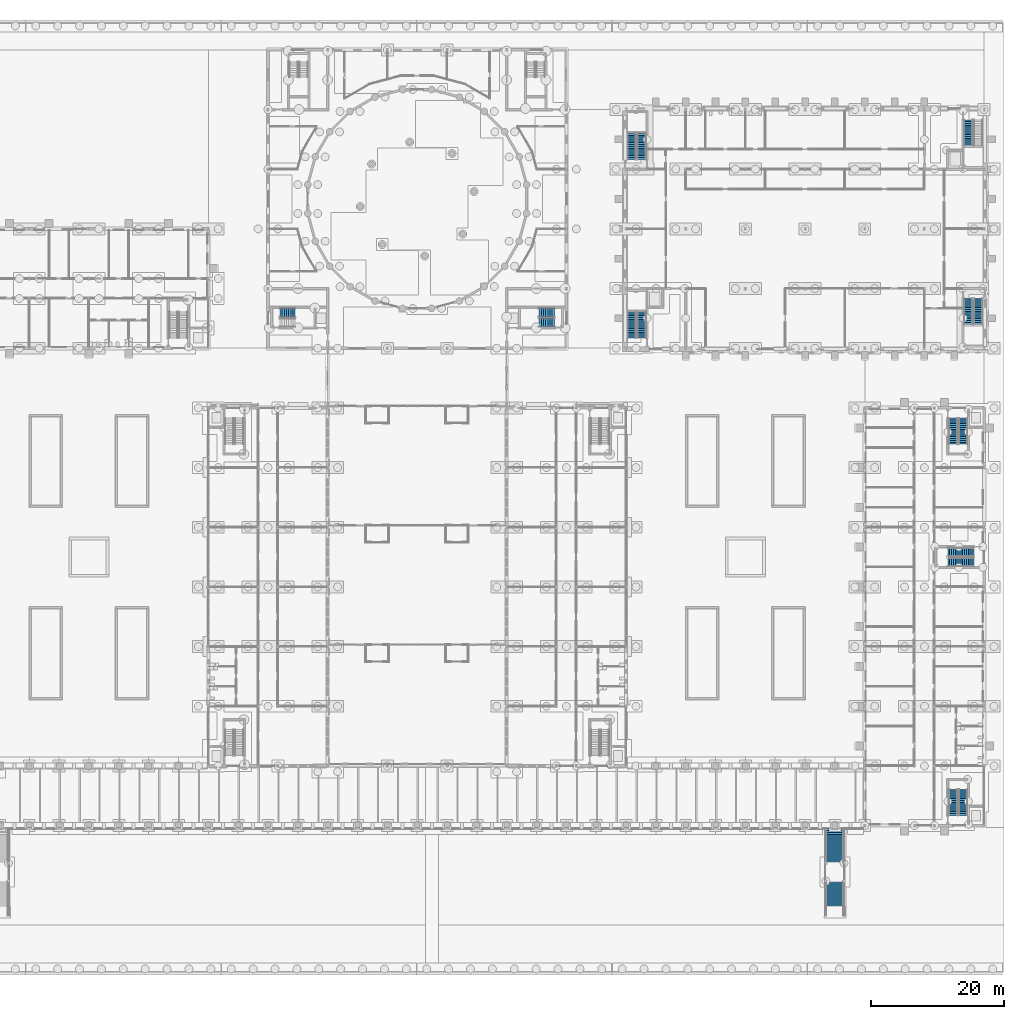
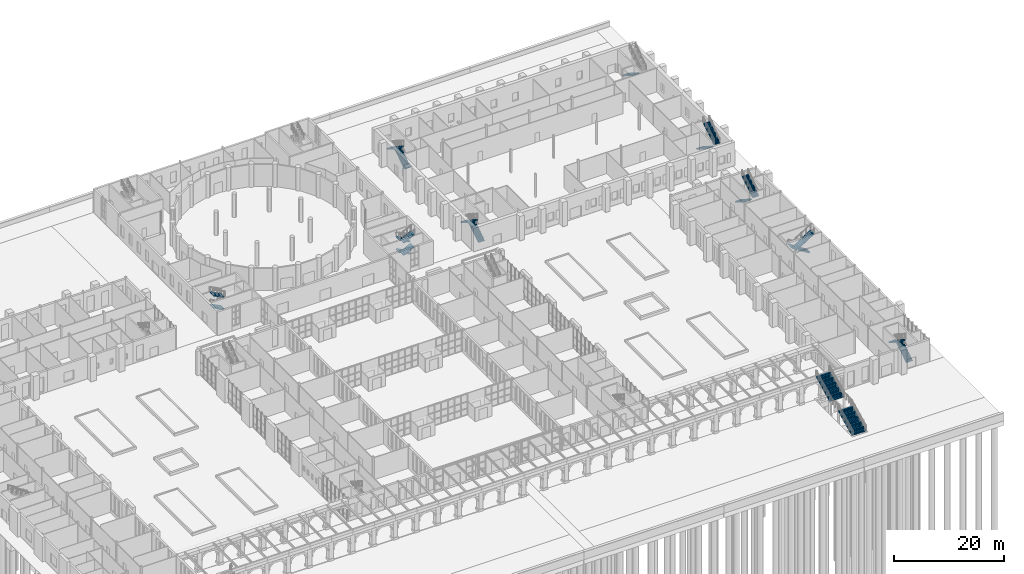
# One storey, part 112 of 168: 21 stair flights, 10 elements without a shape of their own.
"""IFC4 building model written with IfcOpenShell, lengths in metres."""

from ifc_helpers import new_model, si_unit, direction, frame, origin, place, context, subcontext, project, spatial, polyline, outline, extrude, material, type_object, element, aggregate, save


model = new_model("IFC4")

# Units and contexts
model_context = context("Model", 3, precision=1e-05, world=origin(), true_north=direction((0.0, 1.0)))
body_context = subcontext(model_context, "Body", "Model", "MODEL_VIEW")
ifc_project = project(units=[si_unit("LENGTHUNIT", "METRE"), si_unit("AREAUNIT", "SQUARE_METRE"), si_unit("VOLUMEUNIT", "CUBIC_METRE"), si_unit("PLANEANGLEUNIT", "RADIAN"), si_unit("MASSUNIT", "GRAM", prefix="KILO")], contexts=[model_context])

# Site, building, storey
site_placement = place(None, origin())
site = spatial("IfcSite", under=ifc_project, at=site_placement, CompositionType="ELEMENT")
building_placement = place(site_placement, origin())
building = spatial("IfcBuilding", under=site, at=building_placement, Name="Golden Quay Civic Hall", CompositionType="ELEMENT")
storey_placement = place(building_placement, origin())
storey = spatial("IfcBuildingStorey", under=building, at=storey_placement, Name="L00", CompositionType="ELEMENT", Elevation=0.0)

# Stair, stair flights
ifc_material_1 = material(Name="Concrete C40/50", Category="concrete")
stair_type_1 = type_object("IfcStairType", Name="Concrete half-turn stair 30 risers", PredefinedType="HALF_TURN_STAIR", material=ifc_material_1)
stair_1_placement = place(storey_placement, origin())
stair_1 = element("IfcStair", 1, at=stair_1_placement, inside=storey, type_object=stair_type_1, Name="L00 Protected Exit Stair LB-W", PredefinedType="HALF_TURN_STAIR")
ifc_material_2 = material(Name="Concrete C40/50", Category="concrete")
stair_flight_type_1 = type_object("IfcStairFlightType", Name="Concrete stair flight 1350", PredefinedType="STRAIGHT", material=ifc_material_2)
stair_flight_1_placement = place(storey_placement, frame((119.375, 64.550048828125, 0.0), z_axis=(0.0, 0.0, 1.0), x_axis=(0.0, 1.0, 0.0)))
stair_flight_1 = element("IfcStairFlight", 2, at=stair_flight_1_placement, type_object=stair_flight_type_1, Name="LB-STW flight 1", NumberOfRisers=15, NumberOfTreads=14, PredefinedType="STRAIGHT", RiserHeight=0.18, TreadLength=0.28, context=body_context, shape_type="SweptSolid", body=[
    extrude(outline(polyline([(0.0, 0.0), (0.0, 0.179931640625), (0.280029296875, 0.179931640625), (0.280029296875, 0.360107421875), (0.56005859375, 0.360107421875), (0.56005859375, 0.5400390625), (0.840087890625, 0.5400390625), (0.840087890625, 0.719970703125), (1.1201171875, 0.719970703125), (1.1201171875, 0.89990234375), (1.39990234375, 0.89990234375), (1.39990234375, 1.080078125), (1.679931640625, 1.080078125), (1.679931640625, 1.260009765625), (1.9599609375, 1.260009765625), (1.9599609375, 1.43994140625), (2.239990234375, 1.43994140625), (2.239990234375, 1.6201171875), (2.52001953125, 1.6201171875), (2.52001953125, 1.800048828125), (2.800048828125, 1.800048828125), (2.800048828125, 1.97998046875), (3.080078125, 1.97998046875), (3.080078125, 2.159912109375), (3.360107421875, 2.159912109375), (3.360107421875, 2.340087890625), (3.639892578125, 2.340087890625), (3.639892578125, 2.52001953125), (3.919921875, 2.52001953125), (3.919921875, 2.699951171875), (3.919921875, 2.341796875), (0.277099609375, 0.0), (0.0, 0.0)])), frame((0.0, 0.675048828125, 0.0), z_axis=(0.0, -1.0, 0.0), x_axis=(1.0, 0.0, 0.0)), (0.0, 0.0, 1.0), 1.35),
])
stair_flight_2_placement = place(storey_placement, frame((117.875, 68.469970703125, 2.699951171875), z_axis=(0.0, 0.0, 1.0), x_axis=(0.0, -1.0, 0.0)))
stair_flight_2 = element("IfcStairFlight", 3, at=stair_flight_2_placement, type_object=stair_flight_type_1, Name="LB-STW flight 2", NumberOfRisers=15, NumberOfTreads=14, PredefinedType="STRAIGHT", RiserHeight=0.18, TreadLength=0.28, context=body_context, shape_type="SweptSolid", body=[
    extrude(outline(polyline([(0.0, 0.0), (0.0, 0.179931640625), (0.280029296875, 0.179931640625), (0.280029296875, 0.360107421875), (0.56005859375, 0.360107421875), (0.56005859375, 0.5400390625), (0.840087890625, 0.5400390625), (0.840087890625, 0.719970703125), (1.1201171875, 0.719970703125), (1.1201171875, 0.89990234375), (1.39990234375, 0.89990234375), (1.39990234375, 1.080078125), (1.679931640625, 1.080078125), (1.679931640625, 1.260009765625), (1.9599609375, 1.260009765625), (1.9599609375, 1.43994140625), (2.239990234375, 1.43994140625), (2.239990234375, 1.6201171875), (2.52001953125, 1.6201171875), (2.52001953125, 1.800048828125), (2.800048828125, 1.800048828125), (2.800048828125, 1.97998046875), (3.080078125, 1.97998046875), (3.080078125, 2.159912109375), (3.360107421875, 2.159912109375), (3.360107421875, 2.340087890625), (3.639892578125, 2.340087890625), (3.639892578125, 2.52001953125), (3.919921875, 2.52001953125), (3.919921875, 2.699951171875), (3.919921875, 2.341796875), (0.277099609375, 0.0), (0.0, 0.0)])), frame((0.0, 0.675048828125, 0.0), z_axis=(0.0, -1.0, 0.0), x_axis=(1.0, 0.0, 0.0)), (0.0, 0.0, 1.0), 1.35),
])
aggregate(stair_1, [stair_flight_1, stair_flight_2])

# Stair, stair flight
stair_2_placement = place(storey_placement, origin())
stair_2 = element("IfcStair", 4, at=stair_2_placement, inside=storey, type_object=stair_type_1, Name="L00 Protected Exit Stair LB-E", PredefinedType="HALF_TURN_STAIR")
stair_flight_3_placement = place(storey_placement, frame((168.625, 97.449951171875, 0.0), z_axis=(0.0, 0.0, 1.0), x_axis=(0.0, -1.0, 0.0)))
stair_flight_3 = element("IfcStairFlight", 5, at=stair_flight_3_placement, type_object=stair_flight_type_1, Name="LB-STE flight 1", NumberOfRisers=15, NumberOfTreads=14, PredefinedType="STRAIGHT", RiserHeight=0.18, TreadLength=0.28, context=body_context, shape_type="SweptSolid", body=[
    extrude(outline(polyline([(0.0, 0.0), (0.0, 0.179931640625), (0.280029296875, 0.179931640625), (0.280029296875, 0.360107421875), (0.56005859375, 0.360107421875), (0.56005859375, 0.5400390625), (0.840087890625, 0.5400390625), (0.840087890625, 0.719970703125), (1.1201171875, 0.719970703125), (1.1201171875, 0.89990234375), (1.39990234375, 0.89990234375), (1.39990234375, 1.080078125), (1.679931640625, 1.080078125), (1.679931640625, 1.260009765625), (1.9599609375, 1.260009765625), (1.9599609375, 1.43994140625), (2.239990234375, 1.43994140625), (2.239990234375, 1.6201171875), (2.52001953125, 1.6201171875), (2.52001953125, 1.800048828125), (2.800048828125, 1.800048828125), (2.800048828125, 1.97998046875), (3.080078125, 1.97998046875), (3.080078125, 2.159912109375), (3.360107421875, 2.159912109375), (3.360107421875, 2.340087890625), (3.639892578125, 2.340087890625), (3.639892578125, 2.52001953125), (3.919921875, 2.52001953125), (3.919921875, 2.699951171875), (3.919921875, 2.341796875), (0.277099609375, 0.0), (0.0, 0.0)])), frame((0.0, 0.675048828125, 0.0), z_axis=(0.0, -1.0, 0.0), x_axis=(1.0, 0.0, 0.0)), (0.0, 0.0, 1.0), 1.35),
])
aggregate(stair_2, [stair_flight_3])

# Stair, stair flights
stair_3_placement = place(storey_placement, origin())
stair_3 = element("IfcStair", 6, at=stair_3_placement, inside=storey, type_object=stair_type_1, Name="L00 Protected Exit Stair LB-N", PredefinedType="HALF_TURN_STAIR")
stair_flight_4_placement = place(storey_placement, frame((119.375, 91.47509765625, 0.0), z_axis=(0.0, 0.0, 1.0), x_axis=(0.0, 1.0, 0.0)))
stair_flight_4 = element("IfcStairFlight", 7, at=stair_flight_4_placement, type_object=stair_flight_type_1, Name="LB-STN flight 1", NumberOfRisers=15, NumberOfTreads=14, PredefinedType="STRAIGHT", RiserHeight=0.18, TreadLength=0.28, context=body_context, shape_type="SweptSolid", body=[
    extrude(outline(polyline([(0.0, 0.0), (0.0, 0.179931640625), (0.280029296875, 0.179931640625), (0.280029296875, 0.360107421875), (0.56005859375, 0.360107421875), (0.56005859375, 0.5400390625), (0.840087890625, 0.5400390625), (0.840087890625, 0.719970703125), (1.1201171875, 0.719970703125), (1.1201171875, 0.89990234375), (1.39990234375, 0.89990234375), (1.39990234375, 1.080078125), (1.679931640625, 1.080078125), (1.679931640625, 1.260009765625), (1.9599609375, 1.260009765625), (1.9599609375, 1.43994140625), (2.239990234375, 1.43994140625), (2.239990234375, 1.6201171875), (2.52001953125, 1.6201171875), (2.52001953125, 1.800048828125), (2.800048828125, 1.800048828125), (2.800048828125, 1.97998046875), (3.080078125, 1.97998046875), (3.080078125, 2.159912109375), (3.360107421875, 2.159912109375), (3.360107421875, 2.340087890625), (3.639892578125, 2.340087890625), (3.639892578125, 2.52001953125), (3.919921875, 2.52001953125), (3.919921875, 2.699951171875), (3.919921875, 2.341796875), (0.277099609375, 0.0), (0.0, 0.0)])), frame((0.0, 0.675048828125, 0.0), z_axis=(0.0, -1.0, 0.0), x_axis=(1.0, 0.0, 0.0)), (0.0, 0.0, 1.0), 1.35),
])
stair_flight_5_placement = place(storey_placement, frame((117.875, 95.39501953125, 2.699951171875), z_axis=(0.0, 0.0, 1.0), x_axis=(0.0, -1.0, 0.0)))
stair_flight_5 = element("IfcStairFlight", 8, at=stair_flight_5_placement, type_object=stair_flight_type_1, Name="LB-STN flight 2", NumberOfRisers=15, NumberOfTreads=14, PredefinedType="STRAIGHT", RiserHeight=0.18, TreadLength=0.28, context=body_context, shape_type="SweptSolid", body=[
    extrude(outline(polyline([(0.0, 0.0), (0.0, 0.179931640625), (0.280029296875, 0.179931640625), (0.280029296875, 0.360107421875), (0.56005859375, 0.360107421875), (0.56005859375, 0.5400390625), (0.840087890625, 0.5400390625), (0.840087890625, 0.719970703125), (1.1201171875, 0.719970703125), (1.1201171875, 0.89990234375), (1.39990234375, 0.89990234375), (1.39990234375, 1.080078125), (1.679931640625, 1.080078125), (1.679931640625, 1.260009765625), (1.9599609375, 1.260009765625), (1.9599609375, 1.43994140625), (2.239990234375, 1.43994140625), (2.239990234375, 1.6201171875), (2.52001953125, 1.6201171875), (2.52001953125, 1.800048828125), (2.800048828125, 1.800048828125), (2.800048828125, 1.97998046875), (3.080078125, 1.97998046875), (3.080078125, 2.159912109375), (3.360107421875, 2.159912109375), (3.360107421875, 2.340087890625), (3.639892578125, 2.340087890625), (3.639892578125, 2.52001953125), (3.919921875, 2.52001953125), (3.919921875, 2.699951171875), (3.919921875, 2.341796875), (0.277099609375, 0.0), (0.0, 0.0)])), frame((0.0, 0.675048828125, 0.0), z_axis=(0.0, -1.0, 0.0), x_axis=(1.0, 0.0, 0.0)), (0.0, 0.0, 1.0), 1.35),
])
aggregate(stair_3, [stair_flight_4, stair_flight_5])

stair_4_placement = place(storey_placement, origin())
stair_4 = element("IfcStair", 9, at=stair_4_placement, inside=storey, type_object=stair_type_1, Name="L00 Protected Exit Stair LB-S", PredefinedType="HALF_TURN_STAIR")
stair_flight_6_placement = place(storey_placement, frame((168.625, 70.52490234375, 0.0), z_axis=(0.0, 0.0, 1.0), x_axis=(0.0, -1.0, 0.0)))
stair_flight_6 = element("IfcStairFlight", 10, at=stair_flight_6_placement, type_object=stair_flight_type_1, Name="LB-STS flight 1", NumberOfRisers=15, NumberOfTreads=14, PredefinedType="STRAIGHT", RiserHeight=0.18, TreadLength=0.28, context=body_context, shape_type="SweptSolid", body=[
    extrude(outline(polyline([(0.0, 0.0), (0.0, 0.179931640625), (0.280029296875, 0.179931640625), (0.280029296875, 0.360107421875), (0.56005859375, 0.360107421875), (0.56005859375, 0.5400390625), (0.840087890625, 0.5400390625), (0.840087890625, 0.719970703125), (1.1201171875, 0.719970703125), (1.1201171875, 0.89990234375), (1.39990234375, 0.89990234375), (1.39990234375, 1.080078125), (1.679931640625, 1.080078125), (1.679931640625, 1.260009765625), (1.9599609375, 1.260009765625), (1.9599609375, 1.43994140625), (2.239990234375, 1.43994140625), (2.239990234375, 1.6201171875), (2.52001953125, 1.6201171875), (2.52001953125, 1.800048828125), (2.800048828125, 1.800048828125), (2.800048828125, 1.97998046875), (3.080078125, 1.97998046875), (3.080078125, 2.159912109375), (3.360107421875, 2.159912109375), (3.360107421875, 2.340087890625), (3.639892578125, 2.340087890625), (3.639892578125, 2.52001953125), (3.919921875, 2.52001953125), (3.919921875, 2.699951171875), (3.919921875, 2.341796875), (0.277099609375, 0.0), (0.0, 0.0)])), frame((0.0, 0.675048828125, 0.0), z_axis=(0.0, -1.0, 0.0), x_axis=(1.0, 0.0, 0.0)), (0.0, 0.0, 1.0), 1.35),
])
stair_flight_7_placement = place(storey_placement, frame((170.125, 66.60498046875, 2.699951171875), z_axis=(0.0, 0.0, 1.0), x_axis=(0.0, 1.0, 0.0)))
stair_flight_7 = element("IfcStairFlight", 11, at=stair_flight_7_placement, type_object=stair_flight_type_1, Name="LB-STS flight 2", NumberOfRisers=15, NumberOfTreads=14, PredefinedType="STRAIGHT", RiserHeight=0.18, TreadLength=0.28, context=body_context, shape_type="SweptSolid", body=[
    extrude(outline(polyline([(0.0, 0.0), (0.0, 0.179931640625), (0.280029296875, 0.179931640625), (0.280029296875, 0.360107421875), (0.56005859375, 0.360107421875), (0.56005859375, 0.5400390625), (0.840087890625, 0.5400390625), (0.840087890625, 0.719970703125), (1.1201171875, 0.719970703125), (1.1201171875, 0.89990234375), (1.39990234375, 0.89990234375), (1.39990234375, 1.080078125), (1.679931640625, 1.080078125), (1.679931640625, 1.260009765625), (1.9599609375, 1.260009765625), (1.9599609375, 1.43994140625), (2.239990234375, 1.43994140625), (2.239990234375, 1.6201171875), (2.52001953125, 1.6201171875), (2.52001953125, 1.800048828125), (2.800048828125, 1.800048828125), (2.800048828125, 1.97998046875), (3.080078125, 1.97998046875), (3.080078125, 2.159912109375), (3.360107421875, 2.159912109375), (3.360107421875, 2.340087890625), (3.639892578125, 2.340087890625), (3.639892578125, 2.52001953125), (3.919921875, 2.52001953125), (3.919921875, 2.699951171875), (3.919921875, 2.341796875), (0.277099609375, 0.0), (0.0, 0.0)])), frame((0.0, 0.675048828125, 0.0), z_axis=(0.0, -1.0, 0.0), x_axis=(1.0, 0.0, 0.0)), (0.0, 0.0, 1.0), 1.35),
])
aggregate(stair_4, [stair_flight_6, stair_flight_7])

ifc_material_3 = material(Name="Concrete C35/45", Category="concrete")
stair_type_2 = type_object("IfcStairType", Name="Concrete stair 1350 wide 30 risers of 180.0", PredefinedType="HALF_TURN_STAIR", material=ifc_material_3)
stair_5_placement = place(storey_placement, origin())
stair_5 = element("IfcStair", 12, at=stair_5_placement, inside=storey, type_object=stair_type_2, Name="L00 Stair EO-S", PredefinedType="HALF_TURN_STAIR")
ifc_material_4 = material(Name="Concrete C35/45", Category="concrete")
stair_flight_type_2 = type_object("IfcStairFlightType", Name="Concrete stair flight 1350 wide 15 risers of 180.0", PredefinedType="STRAIGHT", material=ifc_material_4)
stair_flight_8_placement = place(storey_placement, frame((167.824951171875, -7.449951171875, 0.0), z_axis=(0.0, 0.0, 1.0), x_axis=(0.0, 1.0, 0.0)))
stair_flight_8 = element("IfcStairFlight", 13, at=stair_flight_8_placement, type_object=stair_flight_type_2, Name="EO-S flight 1", NumberOfRisers=15, NumberOfTreads=14, PredefinedType="STRAIGHT", RiserHeight=0.18, TreadLength=0.28, context=body_context, shape_type="SweptSolid", body=[
    extrude(outline(polyline([(0.0, 0.0), (0.0, 0.179931640625), (0.280029296875, 0.179931640625), (0.280029296875, 0.360107421875), (0.56005859375, 0.360107421875), (0.56005859375, 0.5400390625), (0.840087890625, 0.5400390625), (0.840087890625, 0.719970703125), (1.1201171875, 0.719970703125), (1.1201171875, 0.89990234375), (1.39990234375, 0.89990234375), (1.39990234375, 1.080078125), (1.679931640625, 1.080078125), (1.679931640625, 1.260009765625), (1.9599609375, 1.260009765625), (1.9599609375, 1.43994140625), (2.239990234375, 1.43994140625), (2.239990234375, 1.6201171875), (2.52001953125, 1.6201171875), (2.52001953125, 1.800048828125), (2.800048828125, 1.800048828125), (2.800048828125, 1.97998046875), (3.080078125, 1.97998046875), (3.080078125, 2.159912109375), (3.360107421875, 2.159912109375), (3.360107421875, 2.340087890625), (3.639892578125, 2.340087890625), (3.639892578125, 2.52001953125), (3.919921875, 2.52001953125), (3.919921875, 2.699951171875), (3.919921875, 2.341796875), (0.277099609375, 0.0), (0.0, 0.0)])), frame((0.0, 0.675048828125, 0.0), z_axis=(0.0, -1.0, 0.0), x_axis=(1.0, 0.0, 0.0)), (0.0, 0.0, 1.0), 1.35),
])
stair_flight_9_placement = place(storey_placement, frame((166.324951171875, -3.530029296875, 2.699951171875), z_axis=(0.0, 0.0, 1.0), x_axis=(0.0, -1.0, 0.0)))
stair_flight_9 = element("IfcStairFlight", 14, at=stair_flight_9_placement, type_object=stair_flight_type_2, Name="EO-S flight 2", NumberOfRisers=15, NumberOfTreads=14, PredefinedType="STRAIGHT", RiserHeight=0.18, TreadLength=0.28, context=body_context, shape_type="SweptSolid", body=[
    extrude(outline(polyline([(0.0, 0.0), (0.0, 0.179931640625), (0.280029296875, 0.179931640625), (0.280029296875, 0.360107421875), (0.56005859375, 0.360107421875), (0.56005859375, 0.5400390625), (0.840087890625, 0.5400390625), (0.840087890625, 0.719970703125), (1.1201171875, 0.719970703125), (1.1201171875, 0.89990234375), (1.39990234375, 0.89990234375), (1.39990234375, 1.080078125), (1.679931640625, 1.080078125), (1.679931640625, 1.260009765625), (1.9599609375, 1.260009765625), (1.9599609375, 1.43994140625), (2.239990234375, 1.43994140625), (2.239990234375, 1.6201171875), (2.52001953125, 1.6201171875), (2.52001953125, 1.800048828125), (2.800048828125, 1.800048828125), (2.800048828125, 1.97998046875), (3.080078125, 1.97998046875), (3.080078125, 2.159912109375), (3.360107421875, 2.159912109375), (3.360107421875, 2.340087890625), (3.639892578125, 2.340087890625), (3.639892578125, 2.52001953125), (3.919921875, 2.52001953125), (3.919921875, 2.699951171875), (3.919921875, 2.341796875), (0.277099609375, 0.0), (0.0, 0.0)])), frame((0.0, 0.675048828125, 0.0), z_axis=(0.0, -1.0, 0.0), x_axis=(1.0, 0.0, 0.0)), (0.0, 0.0, 1.0), 1.35),
])
aggregate(stair_5, [stair_flight_8, stair_flight_9])

stair_6_placement = place(storey_placement, origin())
stair_6 = element("IfcStair", 15, at=stair_6_placement, inside=storey, type_object=stair_type_2, Name="L00 Stair EO-N", PredefinedType="HALF_TURN_STAIR")
stair_flight_10_placement = place(storey_placement, frame((166.324951171875, 52.449951171875, 0.0), z_axis=(0.0, 0.0, 1.0), x_axis=(0.0, -1.0, 0.0)))
stair_flight_10 = element("IfcStairFlight", 16, at=stair_flight_10_placement, type_object=stair_flight_type_2, Name="EO-N flight 1", NumberOfRisers=15, NumberOfTreads=14, PredefinedType="STRAIGHT", RiserHeight=0.18, TreadLength=0.28, context=body_context, shape_type="SweptSolid", body=[
    extrude(outline(polyline([(0.0, 0.0), (0.0, 0.179931640625), (0.280029296875, 0.179931640625), (0.280029296875, 0.360107421875), (0.56005859375, 0.360107421875), (0.56005859375, 0.5400390625), (0.840087890625, 0.5400390625), (0.840087890625, 0.719970703125), (1.1201171875, 0.719970703125), (1.1201171875, 0.89990234375), (1.39990234375, 0.89990234375), (1.39990234375, 1.080078125), (1.679931640625, 1.080078125), (1.679931640625, 1.260009765625), (1.9599609375, 1.260009765625), (1.9599609375, 1.43994140625), (2.239990234375, 1.43994140625), (2.239990234375, 1.6201171875), (2.52001953125, 1.6201171875), (2.52001953125, 1.800048828125), (2.800048828125, 1.800048828125), (2.800048828125, 1.97998046875), (3.080078125, 1.97998046875), (3.080078125, 2.159912109375), (3.360107421875, 2.159912109375), (3.360107421875, 2.340087890625), (3.639892578125, 2.340087890625), (3.639892578125, 2.52001953125), (3.919921875, 2.52001953125), (3.919921875, 2.699951171875), (3.919921875, 2.341796875), (0.277099609375, 0.0), (0.0, 0.0)])), frame((0.0, 0.675048828125, 0.0), z_axis=(0.0, -1.0, 0.0), x_axis=(1.0, 0.0, 0.0)), (0.0, 0.0, 1.0), 1.35),
])
stair_flight_11_placement = place(storey_placement, frame((167.824951171875, 48.530029296875, 2.699951171875), z_axis=(0.0, 0.0, 1.0), x_axis=(0.0, 1.0, 0.0)))
stair_flight_11 = element("IfcStairFlight", 17, at=stair_flight_11_placement, type_object=stair_flight_type_2, Name="EO-N flight 2", NumberOfRisers=15, NumberOfTreads=14, PredefinedType="STRAIGHT", RiserHeight=0.18, TreadLength=0.28, context=body_context, shape_type="SweptSolid", body=[
    extrude(outline(polyline([(0.0, 0.0), (0.0, 0.179931640625), (0.280029296875, 0.179931640625), (0.280029296875, 0.360107421875), (0.56005859375, 0.360107421875), (0.56005859375, 0.5400390625), (0.840087890625, 0.5400390625), (0.840087890625, 0.719970703125), (1.1201171875, 0.719970703125), (1.1201171875, 0.89990234375), (1.39990234375, 0.89990234375), (1.39990234375, 1.080078125), (1.679931640625, 1.080078125), (1.679931640625, 1.260009765625), (1.9599609375, 1.260009765625), (1.9599609375, 1.43994140625), (2.239990234375, 1.43994140625), (2.239990234375, 1.6201171875), (2.52001953125, 1.6201171875), (2.52001953125, 1.800048828125), (2.800048828125, 1.800048828125), (2.800048828125, 1.97998046875), (3.080078125, 1.97998046875), (3.080078125, 2.159912109375), (3.360107421875, 2.159912109375), (3.360107421875, 2.340087890625), (3.639892578125, 2.340087890625), (3.639892578125, 2.52001953125), (3.919921875, 2.52001953125), (3.919921875, 2.699951171875), (3.919921875, 2.341796875), (0.277099609375, 0.0), (0.0, 0.0)])), frame((0.0, 0.675048828125, 0.0), z_axis=(0.0, -1.0, 0.0), x_axis=(1.0, 0.0, 0.0)), (0.0, 0.0, 1.0), 1.35),
])
aggregate(stair_6, [stair_flight_10, stair_flight_11])

stair_7_placement = place(storey_placement, origin())
stair_7 = element("IfcStair", 18, at=stair_7_placement, inside=storey, type_object=stair_type_2, Name="L00 Stair EO-M", PredefinedType="HALF_TURN_STAIR")
stair_flight_12_placement = place(storey_placement, frame((169.449951171875, 32.25, 0.0), z_axis=(0.0, 0.0, 1.0), x_axis=(-1.0, 0.0, 0.0)))
stair_flight_12 = element("IfcStairFlight", 19, at=stair_flight_12_placement, type_object=stair_flight_type_2, Name="EO-M flight 1", NumberOfRisers=15, NumberOfTreads=14, PredefinedType="STRAIGHT", RiserHeight=0.18, TreadLength=0.28, context=body_context, shape_type="SweptSolid", body=[
    extrude(outline(polyline([(0.0, 0.0), (0.0, 0.179931640625), (0.280029296875, 0.179931640625), (0.280029296875, 0.360107421875), (0.56005859375, 0.360107421875), (0.56005859375, 0.5400390625), (0.840087890625, 0.5400390625), (0.840087890625, 0.719970703125), (1.1201171875, 0.719970703125), (1.1201171875, 0.89990234375), (1.39990234375, 0.89990234375), (1.39990234375, 1.080078125), (1.679931640625, 1.080078125), (1.679931640625, 1.260009765625), (1.9599609375, 1.260009765625), (1.9599609375, 1.43994140625), (2.239990234375, 1.43994140625), (2.239990234375, 1.6201171875), (2.52001953125, 1.6201171875), (2.52001953125, 1.800048828125), (2.800048828125, 1.800048828125), (2.800048828125, 1.97998046875), (3.080078125, 1.97998046875), (3.080078125, 2.159912109375), (3.360107421875, 2.159912109375), (3.360107421875, 2.340087890625), (3.639892578125, 2.340087890625), (3.639892578125, 2.52001953125), (3.919921875, 2.52001953125), (3.919921875, 2.699951171875), (3.919921875, 2.341796875), (0.277099609375, 0.0), (0.0, 0.0)])), frame((0.0, 0.675048828125, 0.0), z_axis=(0.0, -1.0, 0.0), x_axis=(1.0, 0.0, 0.0)), (0.0, 0.0, 1.0), 1.35),
])
stair_flight_13_placement = place(storey_placement, frame((165.530029296875, 30.75, 2.699951171875), z_axis=(0.0, 0.0, 1.0), x_axis=(1.0, 0.0, 0.0)))
stair_flight_13 = element("IfcStairFlight", 20, at=stair_flight_13_placement, type_object=stair_flight_type_2, Name="EO-M flight 2", NumberOfRisers=15, NumberOfTreads=14, PredefinedType="STRAIGHT", RiserHeight=0.18, TreadLength=0.28, context=body_context, shape_type="SweptSolid", body=[
    extrude(outline(polyline([(0.0, 0.0), (0.0, 0.179931640625), (0.280029296875, 0.179931640625), (0.280029296875, 0.360107421875), (0.56005859375, 0.360107421875), (0.56005859375, 0.5400390625), (0.840087890625, 0.5400390625), (0.840087890625, 0.719970703125), (1.1201171875, 0.719970703125), (1.1201171875, 0.89990234375), (1.39990234375, 0.89990234375), (1.39990234375, 1.080078125), (1.679931640625, 1.080078125), (1.679931640625, 1.260009765625), (1.9599609375, 1.260009765625), (1.9599609375, 1.43994140625), (2.239990234375, 1.43994140625), (2.239990234375, 1.6201171875), (2.52001953125, 1.6201171875), (2.52001953125, 1.800048828125), (2.800048828125, 1.800048828125), (2.800048828125, 1.97998046875), (3.080078125, 1.97998046875), (3.080078125, 2.159912109375), (3.360107421875, 2.159912109375), (3.360107421875, 2.340087890625), (3.639892578125, 2.340087890625), (3.639892578125, 2.52001953125), (3.919921875, 2.52001953125), (3.919921875, 2.699951171875), (3.919921875, 2.341796875), (0.277099609375, 0.0), (0.0, 0.0)])), frame((0.0, 0.675048828125, 0.0), z_axis=(0.0, -1.0, 0.0), x_axis=(1.0, 0.0, 0.0)), (0.0, 0.0, 1.0), 1.35),
])
aggregate(stair_7, [stair_flight_12, stair_flight_13])

ifc_material_5 = material(Name="Concrete C30/37", Category="concrete")
stair_type_3 = type_object("IfcStairType", Name="Public stair concrete 3000", PredefinedType="TWO_STRAIGHT_RUN_STAIR", material=ifc_material_5)
stair_8_placement = place(storey_placement, origin())
stair_8 = element("IfcStair", 21, at=stair_8_placement, inside=storey, type_object=stair_type_3, Name="Public stair east", PredefinedType="TWO_STRAIGHT_RUN_STAIR")
ifc_material_6 = material(Name="Concrete C30/37", Category="concrete")
stair_flight_type_3 = type_object("IfcStairFlightType", Name="Public stair flight concrete 3000", PredefinedType="STRAIGHT", material=ifc_material_6)
stair_flight_14_placement = place(storey_placement, frame((148.5, -22.60009765625, 0.0), z_axis=(0.0, 0.0, 1.0), x_axis=(0.0, 1.0, 0.0)))
stair_flight_14 = element("IfcStairFlight", 22, at=stair_flight_14_placement, type_object=stair_flight_type_3, Name="ST1 flight 1", NumberOfRisers=18, NumberOfTreads=17, PredefinedType="STRAIGHT", RiserHeight=0.15, TreadLength=0.3, context=body_context, shape_type="SweptSolid", body=[
    extrude(outline(polyline([(0.0, 0.0), (0.0, 0.14990234375), (0.300048828125, 0.14990234375), (0.300048828125, 0.300048828125), (0.60009765625, 0.300048828125), (0.60009765625, 0.449951171875), (0.89990234375, 0.449951171875), (0.89990234375, 0.60009765625), (1.199951171875, 0.60009765625), (1.199951171875, 0.75), (1.5, 0.75), (1.5, 0.89990234375), (1.800048828125, 0.89990234375), (1.800048828125, 1.050048828125), (2.10009765625, 1.050048828125), (2.10009765625, 1.199951171875), (2.39990234375, 1.199951171875), (2.39990234375, 1.35009765625), (2.699951171875, 1.35009765625), (2.699951171875, 1.5), (3.0, 1.5), (3.0, 1.64990234375), (3.300048828125, 1.64990234375), (3.300048828125, 1.800048828125), (3.60009765625, 1.800048828125), (3.60009765625, 1.949951171875), (3.89990234375, 1.949951171875), (3.89990234375, 2.10009765625), (4.199951171875, 2.10009765625), (4.199951171875, 2.25), (4.5, 2.25), (4.5, 2.39990234375), (4.800048828125, 2.39990234375), (4.800048828125, 2.550048828125), (5.10009765625, 2.550048828125), (5.10009765625, 2.699951171875), (5.10009765625, 2.38232421875), (0.335205078125, 0.0), (0.0, 0.0)])), frame((0.0, 1.5, 0.0), z_axis=(0.0, -1.0, 0.0), x_axis=(1.0, 0.0, 0.0)), (0.0, 0.0, 1.0), 3.0),
])
stair_flight_15_placement = place(storey_placement, frame((148.5, -14.5, 2.699951171875), z_axis=(0.0, 0.0, 1.0), x_axis=(0.0, 1.0, 0.0)))
stair_flight_15 = element("IfcStairFlight", 23, at=stair_flight_15_placement, type_object=stair_flight_type_3, Name="ST1 flight 2", NumberOfRisers=18, NumberOfTreads=17, PredefinedType="STRAIGHT", RiserHeight=0.15, TreadLength=0.3, context=body_context, shape_type="SweptSolid", body=[
    extrude(outline(polyline([(0.0, 0.0), (0.0, 0.14990234375), (0.300048828125, 0.14990234375), (0.300048828125, 0.300048828125), (0.60009765625, 0.300048828125), (0.60009765625, 0.449951171875), (0.89990234375, 0.449951171875), (0.89990234375, 0.60009765625), (1.199951171875, 0.60009765625), (1.199951171875, 0.75), (1.5, 0.75), (1.5, 0.89990234375), (1.800048828125, 0.89990234375), (1.800048828125, 1.050048828125), (2.10009765625, 1.050048828125), (2.10009765625, 1.199951171875), (2.39990234375, 1.199951171875), (2.39990234375, 1.35009765625), (2.699951171875, 1.35009765625), (2.699951171875, 1.5), (3.0, 1.5), (3.0, 1.64990234375), (3.300048828125, 1.64990234375), (3.300048828125, 1.800048828125), (3.60009765625, 1.800048828125), (3.60009765625, 1.949951171875), (3.89990234375, 1.949951171875), (3.89990234375, 2.10009765625), (4.199951171875, 2.10009765625), (4.199951171875, 2.25), (4.5, 2.25), (4.5, 2.39990234375), (4.800048828125, 2.39990234375), (4.800048828125, 2.550048828125), (5.10009765625, 2.550048828125), (5.10009765625, 2.699951171875), (5.10009765625, 2.38232421875), (0.335205078125, 0.0), (0.0, 0.0)])), frame((0.0, 1.5, 0.0), z_axis=(0.0, -1.0, 0.0), x_axis=(1.0, 0.0, 0.0)), (0.0, 0.0, 1.0), 3.0),
])
aggregate(stair_8, [stair_flight_14, stair_flight_15])

ifc_material_7 = material(Name="Concrete C35/45", Category="concrete")
stair_type_4 = type_object("IfcStairType", Name="Reinforced concrete stair 1350", PredefinedType="HALF_TURN_STAIR", material=ifc_material_7)
stair_9_placement = place(storey_placement, origin())
stair_9 = element("IfcStair", 24, at=stair_9_placement, inside=storey, type_object=stair_type_4, Name="L00 Core stair SW", PredefinedType="HALF_TURN_STAIR")
ifc_material_8 = material(Name="Concrete C35/45", Category="concrete")
stair_flight_type_4 = type_object("IfcStairFlightType", Name="Reinforced concrete stair flight 1350", PredefinedType="STRAIGHT", material=ifc_material_8)
stair_flight_16_placement = place(storey_placement, frame((67.110107421875, 68.375, 1.35009765625), z_axis=(0.0, 0.0, 1.0), x_axis=(-1.0, 0.0, 0.0)))
stair_flight_16 = element("IfcStairFlight", 25, at=stair_flight_16_placement, type_object=stair_flight_type_4, Name="CB-SW flight 2", NumberOfRisers=8, NumberOfTreads=7, PredefinedType="STRAIGHT", RiserHeight=0.16875, TreadLength=0.33, context=body_context, shape_type="SweptSolid", body=[
    extrude(outline(polyline([(0.0, 0.0), (0.0, 0.168701171875), (0.330078125, 0.168701171875), (0.330078125, 0.33740234375), (0.659912109375, 0.33740234375), (0.659912109375, 0.50634765625), (0.989990234375, 0.50634765625), (0.989990234375, 0.675048828125), (1.320068359375, 0.675048828125), (1.320068359375, 0.84375), (1.64990234375, 0.84375), (1.64990234375, 1.012451171875), (1.97998046875, 1.012451171875), (1.97998046875, 1.18115234375), (2.31005859375, 1.18115234375), (2.31005859375, 1.35009765625), (2.31005859375, 1.012939453125), (0.329345703125, 0.0), (0.0, 0.0)])), frame((0.0, 0.675048828125, 0.0), z_axis=(0.0, -1.0, 0.0), x_axis=(1.0, 0.0, 0.0)), (0.0, 0.0, 1.0), 1.35),
])
stair_flight_17_placement = place(storey_placement, frame((67.110107421875, 68.375, 4.050048828125), z_axis=(0.0, 0.0, 1.0), x_axis=(-1.0, 0.0, 0.0)))
stair_flight_17 = element("IfcStairFlight", 26, at=stair_flight_17_placement, type_object=stair_flight_type_4, Name="CB-SW flight 4", NumberOfRisers=8, NumberOfTreads=7, PredefinedType="STRAIGHT", RiserHeight=0.16875, TreadLength=0.33, context=body_context, shape_type="SweptSolid", body=[
    extrude(outline(polyline([(0.0, 0.0), (0.0, 0.168701171875), (0.330078125, 0.168701171875), (0.330078125, 0.33740234375), (0.659912109375, 0.33740234375), (0.659912109375, 0.50634765625), (0.989990234375, 0.50634765625), (0.989990234375, 0.675048828125), (1.320068359375, 0.675048828125), (1.320068359375, 0.84375), (1.64990234375, 0.84375), (1.64990234375, 1.012451171875), (1.97998046875, 1.012451171875), (1.97998046875, 1.18115234375), (2.31005859375, 1.18115234375), (2.31005859375, 1.35009765625), (2.31005859375, 1.012939453125), (0.329345703125, 0.0), (0.0, 0.0)])), frame((0.0, 0.675048828125, 0.0), z_axis=(0.0, -1.0, 0.0), x_axis=(1.0, 0.0, 0.0)), (0.0, 0.0, 1.0), 1.35),
])
aggregate(stair_9, [stair_flight_16, stair_flight_17])

stair_10_placement = place(storey_placement, origin())
stair_10 = element("IfcStair", 27, at=stair_10_placement, inside=storey, type_object=stair_type_4, Name="L00 Core stair SE", PredefinedType="HALF_TURN_STAIR")
stair_flight_18_placement = place(storey_placement, frame((106.199951171875, 68.375, 0.0), z_axis=(0.0, 0.0, 1.0), x_axis=(-1.0, 0.0, 0.0)))
stair_flight_18 = element("IfcStairFlight", 28, at=stair_flight_18_placement, type_object=stair_flight_type_4, Name="CB-SE flight 1", NumberOfRisers=8, NumberOfTreads=7, PredefinedType="STRAIGHT", RiserHeight=0.16875, TreadLength=0.33, context=body_context, shape_type="SweptSolid", body=[
    extrude(outline(polyline([(0.0, 0.0), (0.0, 0.168701171875), (0.330078125, 0.168701171875), (0.330078125, 0.33740234375), (0.659912109375, 0.33740234375), (0.659912109375, 0.50634765625), (0.989990234375, 0.50634765625), (0.989990234375, 0.675048828125), (1.320068359375, 0.675048828125), (1.320068359375, 0.84375), (1.64990234375, 0.84375), (1.64990234375, 1.012451171875), (1.97998046875, 1.012451171875), (1.97998046875, 1.18115234375), (2.31005859375, 1.18115234375), (2.31005859375, 1.35009765625), (2.31005859375, 1.012939453125), (0.329345703125, 0.0), (0.0, 0.0)])), frame((0.0, 0.675048828125, 0.0), z_axis=(0.0, -1.0, 0.0), x_axis=(1.0, 0.0, 0.0)), (0.0, 0.0, 1.0), 1.35),
])
stair_flight_19_placement = place(storey_placement, frame((103.889892578125, 66.875, 1.35009765625), z_axis=(0.0, 0.0, 1.0), x_axis=(1.0, 0.0, 0.0)))
stair_flight_19 = element("IfcStairFlight", 29, at=stair_flight_19_placement, type_object=stair_flight_type_4, Name="CB-SE flight 2", NumberOfRisers=8, NumberOfTreads=7, PredefinedType="STRAIGHT", RiserHeight=0.16875, TreadLength=0.33, context=body_context, shape_type="SweptSolid", body=[
    extrude(outline(polyline([(0.0, 0.0), (0.0, 0.168701171875), (0.330078125, 0.168701171875), (0.330078125, 0.33740234375), (0.659912109375, 0.33740234375), (0.659912109375, 0.50634765625), (0.989990234375, 0.50634765625), (0.989990234375, 0.675048828125), (1.320068359375, 0.675048828125), (1.320068359375, 0.84375), (1.64990234375, 0.84375), (1.64990234375, 1.012451171875), (1.97998046875, 1.012451171875), (1.97998046875, 1.18115234375), (2.31005859375, 1.18115234375), (2.31005859375, 1.35009765625), (2.31005859375, 1.012939453125), (0.329345703125, 0.0), (0.0, 0.0)])), frame((0.0, 0.675048828125, 0.0), z_axis=(0.0, -1.0, 0.0), x_axis=(1.0, 0.0, 0.0)), (0.0, 0.0, 1.0), 1.35),
])
stair_flight_20_placement = place(storey_placement, frame((106.199951171875, 68.375, 2.699951171875), z_axis=(0.0, 0.0, 1.0), x_axis=(-1.0, 0.0, 0.0)))
stair_flight_20 = element("IfcStairFlight", 30, at=stair_flight_20_placement, type_object=stair_flight_type_4, Name="CB-SE flight 3", NumberOfRisers=8, NumberOfTreads=7, PredefinedType="STRAIGHT", RiserHeight=0.16875, TreadLength=0.33, context=body_context, shape_type="SweptSolid", body=[
    extrude(outline(polyline([(0.0, 0.0), (0.0, 0.168701171875), (0.330078125, 0.168701171875), (0.330078125, 0.33740234375), (0.659912109375, 0.33740234375), (0.659912109375, 0.50634765625), (0.989990234375, 0.50634765625), (0.989990234375, 0.675048828125), (1.320068359375, 0.675048828125), (1.320068359375, 0.84375), (1.64990234375, 0.84375), (1.64990234375, 1.012451171875), (1.97998046875, 1.012451171875), (1.97998046875, 1.18115234375), (2.31005859375, 1.18115234375), (2.31005859375, 1.35009765625), (2.31005859375, 1.012939453125), (0.329345703125, 0.0), (0.0, 0.0)])), frame((0.0, 0.675048828125, 0.0), z_axis=(0.0, -1.0, 0.0), x_axis=(1.0, 0.0, 0.0)), (0.0, 0.0, 1.0), 1.35),
])
stair_flight_21_placement = place(storey_placement, frame((103.889892578125, 66.875, 4.050048828125), z_axis=(0.0, 0.0, 1.0), x_axis=(1.0, 0.0, 0.0)))
stair_flight_21 = element("IfcStairFlight", 31, at=stair_flight_21_placement, type_object=stair_flight_type_4, Name="CB-SE flight 4", NumberOfRisers=8, NumberOfTreads=7, PredefinedType="STRAIGHT", RiserHeight=0.16875, TreadLength=0.33, context=body_context, shape_type="SweptSolid", body=[
    extrude(outline(polyline([(0.0, 0.0), (0.0, 0.168701171875), (0.330078125, 0.168701171875), (0.330078125, 0.33740234375), (0.659912109375, 0.33740234375), (0.659912109375, 0.50634765625), (0.989990234375, 0.50634765625), (0.989990234375, 0.675048828125), (1.320068359375, 0.675048828125), (1.320068359375, 0.84375), (1.64990234375, 0.84375), (1.64990234375, 1.012451171875), (1.97998046875, 1.012451171875), (1.97998046875, 1.18115234375), (2.31005859375, 1.18115234375), (2.31005859375, 1.35009765625), (2.31005859375, 1.012939453125), (0.329345703125, 0.0), (0.0, 0.0)])), frame((0.0, 0.675048828125, 0.0), z_axis=(0.0, -1.0, 0.0), x_axis=(1.0, 0.0, 0.0)), (0.0, 0.0, 1.0), 1.35),
])
aggregate(stair_10, [stair_flight_18, stair_flight_19, stair_flight_20, stair_flight_21])

save(model, "model.ifc")
